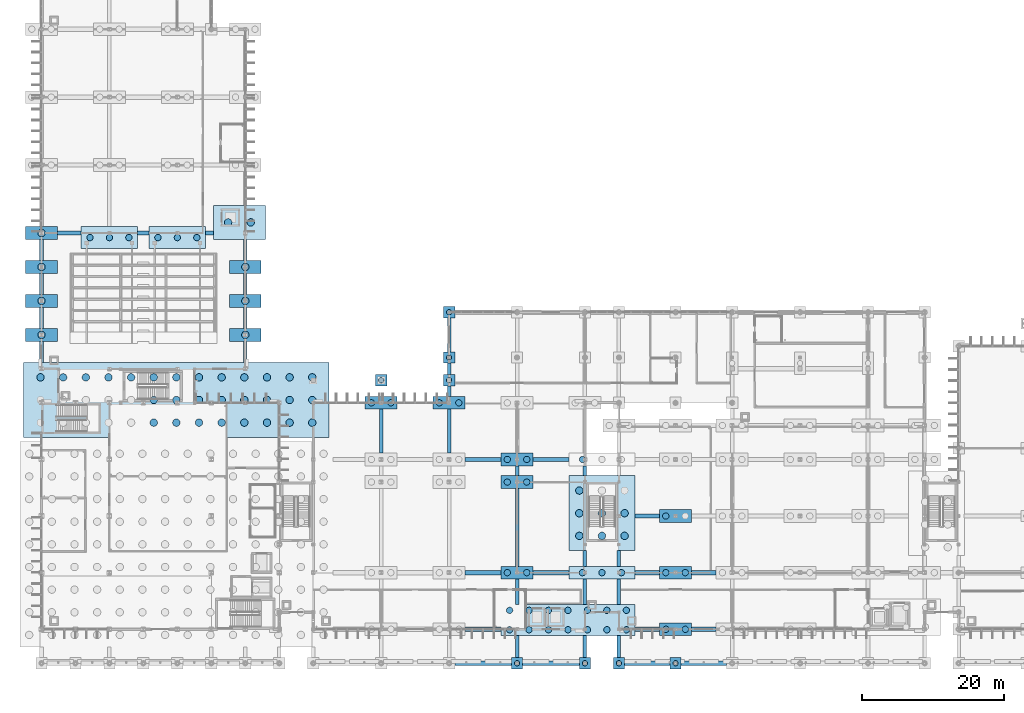
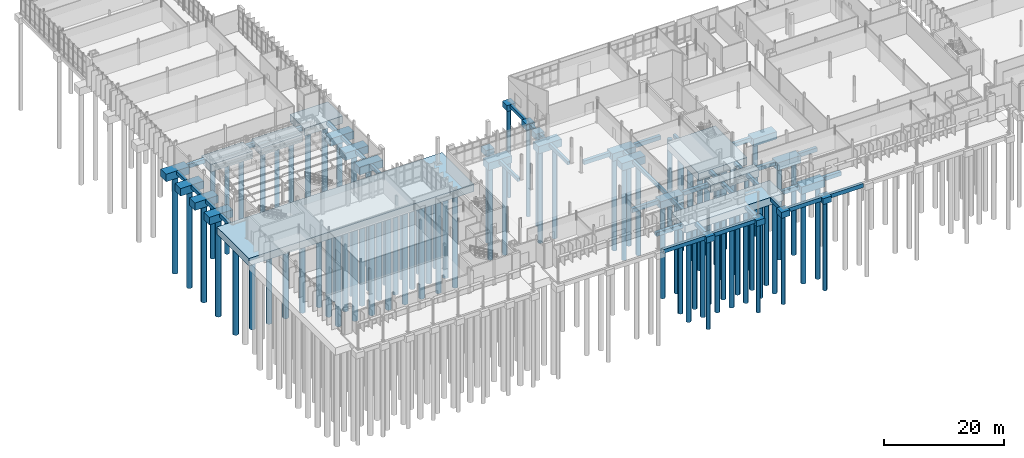
# One storey, part 2 of 111: 92 piles, 71 footings.
"""IFC4 building model written with IfcOpenShell, lengths in metres."""

import ifcopenshell
import ifcopenshell.guid

model = None  # the IFC model being written
_history = None  # IfcOwnerHistory: only IFC2X3 demands one
_inside = {}  # id of a spatial element -> (the spatial element, [elements in it])
_under = {}  # id of a project, library or spatial element -> (it, [spatial elements below it])
_declared = {}  # id of a project -> (the project, [libraries it declares])
_typed = {}  # id of a type object -> (the type object, [elements of that type])
_made_of = {}  # id of a material, layer set ... -> (it, [elements and type objects made of it])


def new_model(schema):
    """Start an empty IFC model of exactly this schema.

    Asked for "IFC4X3", IfcOpenShell would pick the latest addendum, in which some entities
    have other attributes; the version numbers below select the first issue.
    IFC2X3 requires an IfcOwnerHistory on every rooted entity: one is made here for all.
    """
    global model, _history
    if schema == "IFC4X3":
        model = ifcopenshell.file(schema_version=(4, 3, 0, 0))
    else:
        model = ifcopenshell.file(schema=schema)
    _inside.clear()
    _under.clear()
    _declared.clear()
    _typed.clear()
    _made_of.clear()
    _history = None
    if model.schema == "IFC2X3":
        org = make("IfcOrganization", Name="unknown")
        user = make(
            "IfcPersonAndOrganization",
            ThePerson=make("IfcPerson", FamilyName="unknown"),
            TheOrganization=org,
        )
        app = make(
            "IfcApplication",
            ApplicationDeveloper=org,
            Version="unknown",
            ApplicationFullName="unknown",
            ApplicationIdentifier="unknown",
        )
        _history = make(
            "IfcOwnerHistory",
            OwningUser=user,
            OwningApplication=app,
            ChangeAction="ADDED",
            CreationDate=0,
        )
    return model


def make(cls, **values):
    """One entity of the class cls with the attributes given. An attribute that is None is left unset."""
    return model.create_entity(
        cls, **{name: value for name, value in values.items() if value is not None}
    )


def rooted(cls, **values):
    """An entity with a GlobalId (a new one), such as an element, a storey or a relation."""
    return make(cls, GlobalId=ifcopenshell.guid.new(), OwnerHistory=_history, **values)


def si_unit(unit_type, name, prefix=None):
    """IfcSIUnit, for example si_unit("LENGTHUNIT", "METRE", prefix="MILLI")."""
    return make("IfcSIUnit", UnitType=unit_type, Prefix=prefix, Name=name)


def assignment(units):
    """IfcUnitAssignment: the units of a project."""
    return None if units is None else make("IfcUnitAssignment", Units=units)


def point(xyz):
    """IfcCartesianPoint."""
    return None if xyz is None else make("IfcCartesianPoint", Coordinates=xyz)


def direction(xyz):
    """IfcDirection."""
    return None if xyz is None else make("IfcDirection", DirectionRatios=xyz)


def frame(location, z_axis=None, x_axis=None):
    """IfcAxis2Placement3D, a coordinate frame: its origin and axes. An axis left out is left unset."""
    return make(
        "IfcAxis2Placement3D",
        Location=point(location),
        Axis=direction(z_axis),
        RefDirection=direction(x_axis),
    )


def frame_2d(location, x_axis=None):
    """IfcAxis2Placement2D, a coordinate frame in the plane: its origin and x axis."""
    return make(
        "IfcAxis2Placement2D", Location=point(location), RefDirection=direction(x_axis)
    )


def origin():
    """The frame at (0, 0, 0) with its axes left unset."""
    return frame((0.0, 0.0, 0.0))


def origin_2d():
    """The frame at (0, 0) in the plane with its x axis left unset."""
    return frame_2d((0.0, 0.0))


def place(relative_to, where):
    """IfcLocalPlacement: puts the frame where relative to a parent placement (None: the world)."""
    return make(
        "IfcLocalPlacement", PlacementRelTo=relative_to, RelativePlacement=where
    )


def context(
    kind, dimensions, precision=None, world=None, true_north=None, identifier=None
):
    """IfcGeometricRepresentationContext, for example the 3D "Model" context."""
    return make(
        "IfcGeometricRepresentationContext",
        ContextIdentifier=identifier,
        ContextType=kind,
        CoordinateSpaceDimension=dimensions,
        Precision=precision,
        WorldCoordinateSystem=world,
        TrueNorth=true_north,
    )


def subcontext(parent, identifier, kind, view, scale=None):
    """IfcGeometricRepresentationSubContext, for example "Body" below "Model"."""
    return make(
        "IfcGeometricRepresentationSubContext",
        ContextIdentifier=identifier,
        ContextType=kind,
        ParentContext=parent,
        TargetScale=scale,
        TargetView=view,
    )


def project(units=None, contexts=None):
    """IfcProject with its units and contexts."""
    return rooted(
        "IfcProject",
        Name="project",
        RepresentationContexts=contexts,
        UnitsInContext=assignment(units),
    )


def spatial(cls, under=None, at=None, **own):
    """A site, building, storey or space (cls), placed at a placement, below another one or the project."""
    s = rooted(cls, ObjectPlacement=at, **own)
    if under is not None:
        _under.setdefault(under.id(), (under, []))[1].append(s)
    return s


def profile(cls, at=None, kind="AREA", **sizes):
    """A parametric profile (cls). Its sizes go by their IFC names, for example OverallWidth=200.0."""
    return make(cls, ProfileType=kind, Position=at, **sizes)


def rectangle(**sizes):
    """IfcRectangleProfileDef."""
    return profile("IfcRectangleProfileDef", **sizes)


def circle(**sizes):
    """IfcCircleProfileDef."""
    return profile("IfcCircleProfileDef", **sizes)


def extrude(swept, where, along, depth):
    """IfcExtrudedAreaSolid: the profile swept, set in the frame where, extruded along a direction by depth."""
    return make(
        "IfcExtrudedAreaSolid",
        SweptArea=swept,
        Position=where,
        ExtrudedDirection=direction(along),
        Depth=depth,
    )


def shape(context_of_items, identifier, shape_type, items):
    """IfcShapeRepresentation: the items that make up one representation, for example the "Body"."""
    return make(
        "IfcShapeRepresentation",
        ContextOfItems=context_of_items,
        RepresentationIdentifier=identifier,
        RepresentationType=shape_type,
        Items=items,
    )


def material(Name=None, Category=None):
    """IfcMaterial."""
    return make("IfcMaterial", Name=Name, Category=Category)


def material_profile(
    of_material, cross_section, Name=None, Category=None, Priority=None
):
    """IfcMaterialProfile: a cross section and its material."""
    return make(
        "IfcMaterialProfile",
        Name=Name,
        Material=of_material,
        Profile=cross_section,
        Priority=Priority,
        Category=Category,
    )


def profile_set(profiles, Name=None, composite=None):
    """IfcMaterialProfileSet."""
    return make(
        "IfcMaterialProfileSet",
        Name=Name,
        MaterialProfiles=profiles,
        CompositeProfile=composite,
    )


def made_of(thing, what):
    """Note that an element or type object is made of a material, layer set ...; save() writes the relation."""
    if what is not None:
        _made_of.setdefault(what.id(), (what, []))[1].append(thing)
    return thing


def type_object(cls, material=None, **own):
    """A type object (cls), such as IfcWallType, which elements share."""
    return made_of(rooted(cls, **own), material)


def element(
    cls,
    number,
    at=None,
    inside=None,
    cuts=None,
    type_object=None,
    material=None,
    context=None,
    identifier="Body",
    shape_type=None,
    held_by="IfcProductDefinitionShape",
    body=None,
    shapes=None,
    **own,
):
    """One element of the class cls, such as IfcWall. Its Tag is "e" and its number.

    at: its placement. inside: the storey or other place that contains it. cuts: it is an
    opening in that element (IfcRelVoidsElement). A single representation is given by context,
    identifier, shape_type and body (its items); several are given by shapes. held_by: the class
    of the entity that holds the representations. save() writes the other relations.
    """
    e = rooted(cls, Tag="e%d" % number, ObjectPlacement=at, **own)
    if body is not None:
        shapes = [shape(context, identifier, shape_type, body)]
    if shapes is not None:
        e.Representation = make(held_by, Representations=shapes)
    if inside is not None:
        _inside.setdefault(inside.id(), (inside, []))[1].append(e)
    if cuts is not None:
        rooted(
            "IfcRelVoidsElement", RelatingBuildingElement=cuts, RelatedOpeningElement=e
        )
    if type_object is not None:
        _typed.setdefault(type_object.id(), (type_object, []))[1].append(e)
    return made_of(e, material)


def aggregate(whole, parts):
    """IfcRelAggregates: a whole, such as a stair, and the parts it consists of."""
    return rooted("IfcRelAggregates", RelatingObject=whole, RelatedObjects=parts)


def save(model, path):
    """Write the relations noted so far, then the file.

    IfcRelAggregates (storeys below a building ...), IfcRelContainedInSpatialStructure (elements
    in a storey), IfcRelDefinesByType, IfcRelAssociatesMaterial and IfcRelDeclares: one each for
    every whole, place, type object, material and project.
    """
    for whole, parts in _under.values():
        aggregate(whole, parts)
    for where, things in _inside.values():
        rooted(
            "IfcRelContainedInSpatialStructure",
            RelatedElements=things,
            RelatingStructure=where,
        )
    for kind, things in _typed.values():
        rooted("IfcRelDefinesByType", RelatedObjects=things, RelatingType=kind)
    for what, things in _made_of.values():
        rooted("IfcRelAssociatesMaterial", RelatedObjects=things, RelatingMaterial=what)
    for by, libraries in _declared.values():
        rooted("IfcRelDeclares", RelatingContext=by, RelatedDefinitions=libraries)
    model.write(path)


model = new_model("IFC4")

# Units and contexts
model_context = context("Model", 3, precision=1e-05, world=origin(), true_north=direction((0.0, 1.0)))
body_context = subcontext(model_context, "Body", "Model", "MODEL_VIEW")
ifc_project = project(units=[si_unit("LENGTHUNIT", "METRE"), si_unit("AREAUNIT", "SQUARE_METRE"), si_unit("VOLUMEUNIT", "CUBIC_METRE"), si_unit("PLANEANGLEUNIT", "RADIAN"), si_unit("MASSUNIT", "GRAM", prefix="KILO")], contexts=[model_context])

# Site, building, storey
site_placement = place(None, origin())
site = spatial("IfcSite", under=ifc_project, at=site_placement, CompositionType="ELEMENT")
building_placement = place(site_placement, origin())
building = spatial("IfcBuilding", under=site, at=building_placement, Name="Dunescarp Central Library", CompositionType="ELEMENT")
storey_placement = place(building_placement, origin())
storey = spatial("IfcBuildingStorey", under=building, at=storey_placement, Name="L00", CompositionType="ELEMENT", Elevation=0.0)

# Footings
ifc_material_1 = material(Name="Concrete C35/45", Category="concrete")
footing_type_1 = type_object("IfcFootingType", Name="STR-GB-EW-1120", PredefinedType="FOOTING_BEAM", material=ifc_material_1)
footing_1_placement = place(storey_placement, frame((23.761962890625, 60.800048828125, -1.10009765625), z_axis=(0.0, 0.0, 1.0), x_axis=(1.0, 0.0, 0.0)))
element("IfcFooting", 1, at=footing_1_placement, inside=storey, type_object=footing_type_1, Name="Ground tie beam GB-081", PredefinedType="FOOTING_BEAM", context=body_context, shape_type="SweptSolid", body=[
    extrude(rectangle(XDim=1.125, YDim=0.60009765625, at=origin_2d()), origin(), (0.0, 0.0, 1.0), 0.800048828125),
])
footing_type_2 = type_object("IfcFootingType", Name="STR-GB-EW-1600", PredefinedType="FOOTING_BEAM", material=ifc_material_1)
footing_2_placement = place(storey_placement, frame((14.39990234375, 60.800048828125, -1.10009765625), z_axis=(0.0, 0.0, 1.0), x_axis=(1.0, 0.0, 0.0)))
element("IfcFooting", 2, at=footing_2_placement, inside=storey, type_object=footing_type_2, Name="Ground tie beam GB-080", PredefinedType="FOOTING_BEAM", context=body_context, shape_type="SweptSolid", body=[
    extrude(rectangle(XDim=1.60009765625, YDim=0.60009765625, at=origin_2d()), origin(), (0.0, 0.0, 1.0), 0.800048828125),
])
footing_type_3 = type_object("IfcFootingType", Name="STR-GB-EW-3350", PredefinedType="FOOTING_BEAM", material=ifc_material_1)
footing_3_placement = place(storey_placement, frame((3.925048828125, 60.800048828125, -1.10009765625), z_axis=(0.0, 0.0, 1.0), x_axis=(1.0, 0.0, 0.0)))
element("IfcFooting", 3, at=footing_3_placement, inside=storey, type_object=footing_type_3, Name="Ground tie beam GB-079", PredefinedType="FOOTING_BEAM", context=body_context, shape_type="SweptSolid", body=[
    extrude(rectangle(XDim=3.35009765625, YDim=0.60009765625, at=origin_2d()), origin(), (0.0, 0.0, 1.0), 0.800048828125),
])
footing_type_4 = type_object("IfcFootingType", Name="STR-GB-EW-3500", PredefinedType="FOOTING_BEAM", material=ifc_material_1)
for number, where, z_axis, x_axis, name in (
    (4, (85.60009765625, 4.800048828125, -1.10009765625), (0.0, 0.0, 1.0), (1.0, 0.0, 0.0), "Ground tie beam GB-024"),
    (5, (93.60009765625, 4.800048828125, -1.10009765625), (0.0, 0.0, 1.0), (1.0, 0.0, 0.0), "Ground tie beam GB-025"),
    (6, (85.60009765625, 12.800048828125, -1.10009765625), (0.0, 0.0, 1.0), (1.0, 0.0, 0.0), "Ground tie beam GB-036"),
    (7, (93.60009765625, 12.800048828125, -1.10009765625), (0.0, 0.0, 1.0), (1.0, 0.0, 0.0), "Ground tie beam GB-037"),
    (8, (85.60009765625, 20.800048828125, -1.10009765625), (0.0, 0.0, 1.0), (1.0, 0.0, 0.0), "Ground tie beam GB-046"),
):
    element("IfcFooting", number, at=place(storey_placement, frame(where, z_axis=z_axis, x_axis=x_axis)), inside=storey, type_object=footing_type_4, Name=name, PredefinedType="FOOTING_BEAM", context=body_context, shape_type="SweptSolid", body=[
        extrude(rectangle(XDim=3.5, YDim=0.60009765625, at=origin_2d()), origin(), (0.0, 0.0, 1.0), 0.800048828125),
    ])
footing_type_5 = type_object("IfcFootingType", Name="STR-GB-EW-5100", PredefinedType="FOOTING_BEAM", material=ifc_material_1)
for number, where, z_axis, x_axis, name in (
    (9, (62.39990234375, 4.800048828125, -1.10009765625), (0.0, 0.0, 1.0), (1.0, 0.0, 0.0), "Ground tie beam GB-023"),
    (10, (62.39990234375, 12.800048828125, -1.10009765625), (0.0, 0.0, 1.0), (1.0, 0.0, 0.0), "Ground tie beam GB-034"),
    (11, (72.0, 12.800048828125, -1.10009765625), (0.0, 0.0, 1.0), (1.0, 0.0, 0.0), "Ground tie beam GB-035"),
    (12, (62.39990234375, 28.800048828125, -1.10009765625), (0.0, 0.0, 1.0), (1.0, 0.0, 0.0), "Ground tie beam GB-057"),
    (13, (72.0, 28.800048828125, -1.10009765625), (0.0, 0.0, 1.0), (1.0, 0.0, 0.0), "Ground tie beam GB-058"),
):
    element("IfcFooting", number, at=place(storey_placement, frame(where, z_axis=z_axis, x_axis=x_axis)), inside=storey, type_object=footing_type_5, Name=name, PredefinedType="FOOTING_BEAM", context=body_context, shape_type="SweptSolid", body=[
        extrude(rectangle(XDim=5.10009765625, YDim=0.60009765625, at=origin_2d()), origin(), (0.0, 0.0, 1.0), 0.800048828125),
    ])
footing_type_6 = type_object("IfcFootingType", Name="STR-GB-EW-6400", PredefinedType="FOOTING_BEAM", material=ifc_material_1)
for number, where, z_axis, x_axis, name in (
    (14, (85.60009765625, 0.0, -1.10009765625), (0.0, 0.0, 1.0), (1.0, 0.0, 0.0), "Ground tie beam GB-012"),
    (15, (93.60009765625, 0.0, -1.10009765625), (0.0, 0.0, 1.0), (1.0, 0.0, 0.0), "Ground tie beam GB-013"),
):
    element("IfcFooting", number, at=place(storey_placement, frame(where, z_axis=z_axis, x_axis=x_axis)), inside=storey, type_object=footing_type_6, Name=name, PredefinedType="FOOTING_BEAM", context=body_context, shape_type="SweptSolid", body=[
        extrude(rectangle(XDim=6.39990234375, YDim=0.60009765625, at=origin_2d()), origin(), (0.0, 0.0, 1.0), 0.800048828125),
    ])
footing_type_7 = type_object("IfcFootingType", Name="STR-GB-EW-8000", PredefinedType="FOOTING_BEAM", material=ifc_material_1)
for number, where, z_axis, x_axis, name in (
    (16, (62.39990234375, 0.0, -1.10009765625), (0.0, 0.0, 1.0), (1.0, 0.0, 0.0), "Ground tie beam GB-010"),
    (17, (72.0, 0.0, -1.10009765625), (0.0, 0.0, 1.0), (1.0, 0.0, 0.0), "Ground tie beam GB-011"),
):
    element("IfcFooting", number, at=place(storey_placement, frame(where, z_axis=z_axis, x_axis=x_axis)), inside=storey, type_object=footing_type_7, Name=name, PredefinedType="FOOTING_BEAM", context=body_context, shape_type="SweptSolid", body=[
        extrude(rectangle(XDim=8.0, YDim=0.60009765625, at=origin_2d()), origin(), (0.0, 0.0, 1.0), 0.800048828125),
    ])
footing_type_8 = type_object("IfcFootingType", Name="STR-GB-NS-11000", PredefinedType="FOOTING_BEAM", material=ifc_material_1)
footing_4_placement = place(storey_placement, frame((67.199951171875, 19.199951171875, -1.0), z_axis=(0.0, 0.0, 1.0), x_axis=(0.0, 1.0, 0.0)))
element("IfcFooting", 18, at=footing_4_placement, inside=storey, type_object=footing_type_8, Name="Ground tie beam GB-142", PredefinedType="FOOTING_BEAM", context=body_context, shape_type="SweptSolid", body=[
    extrude(rectangle(XDim=11.0, YDim=0.5, at=origin_2d()), origin(), (0.0, 0.0, 1.0), 0.699951171875),
])
footing_type_9 = type_object("IfcFootingType", Name="STR-GB-NS-1400", PredefinedType="FOOTING_BEAM", material=ifc_material_1)
for number, where, z_axis, x_axis, name in (
    (19, (67.199951171875, 27.199951171875, -1.0), (0.0, 0.0, 1.0), (0.0, 1.0, 0.0), "Ground tie beam GB-143"),
    (20, (76.800048828125, 27.199951171875, -1.0), (0.0, 0.0, 1.0), (0.0, 1.0, 0.0), "Ground tie beam GB-150"),
):
    element("IfcFooting", number, at=place(storey_placement, frame(where, z_axis=z_axis, x_axis=x_axis)), inside=storey, type_object=footing_type_9, Name=name, PredefinedType="FOOTING_BEAM", context=body_context, shape_type="SweptSolid", body=[
        extrude(rectangle(XDim=1.39990234375, YDim=0.5, at=origin_2d()), origin(), (0.0, 0.0, 1.0), 0.699951171875),
    ])
footing_type_10 = type_object("IfcFootingType", Name="STR-GB-NS-1500", PredefinedType="FOOTING_BEAM", material=ifc_material_1)
footing_5_placement = place(storey_placement, frame((57.60009765625, 38.449951171875, -1.0), z_axis=(0.0, 0.0, 1.0), x_axis=(0.0, 1.0, 0.0)))
element("IfcFooting", 21, at=footing_5_placement, inside=storey, type_object=footing_type_10, Name="Ground tie beam GB-137", PredefinedType="FOOTING_BEAM", context=body_context, shape_type="SweptSolid", body=[
    extrude(rectangle(XDim=1.5, YDim=0.5, at=origin_2d()), origin(), (0.0, 0.0, 1.0), 0.699951171875),
])
footing_type_11 = type_object("IfcFootingType", Name="STR-GB-NS-1600", PredefinedType="FOOTING_BEAM", material=ifc_material_1)
footing_6_placement = place(storey_placement, frame((57.60009765625, 41.60009765625, -1.0), z_axis=(0.0, 0.0, 1.0), x_axis=(0.0, 1.0, 0.0)))
element("IfcFooting", 22, at=footing_6_placement, inside=storey, type_object=footing_type_11, Name="Ground tie beam GB-138", PredefinedType="FOOTING_BEAM", context=body_context, shape_type="SweptSolid", body=[
    extrude(rectangle(XDim=1.60009765625, YDim=0.5, at=origin_2d()), origin(), (0.0, 0.0, 1.0), 0.699951171875),
])
footing_type_12 = type_object("IfcFootingType", Name="STR-GB-NS-2200", PredefinedType="FOOTING_BEAM", material=ifc_material_1)
for number, where, z_axis, x_axis, name in (
    (23, (76.800048828125, 14.800048828125, -1.0), (0.0, 0.0, 1.0), (0.0, 1.0, 0.0), "Ground tie beam GB-149"),
    (24, (81.60009765625, 14.800048828125, -1.0), (0.0, 0.0, 1.0), (0.0, 1.0, 0.0), "Ground tie beam GB-156"),
):
    element("IfcFooting", number, at=place(storey_placement, frame(where, z_axis=z_axis, x_axis=x_axis)), inside=storey, type_object=footing_type_12, Name=name, PredefinedType="FOOTING_BEAM", context=body_context, shape_type="SweptSolid", body=[
        extrude(rectangle(XDim=2.199951171875, YDim=0.5, at=origin_2d()), origin(), (0.0, 0.0, 1.0), 0.699951171875),
    ])
footing_type_13 = type_object("IfcFootingType", Name="STR-GB-NS-3000", PredefinedType="FOOTING_BEAM", material=ifc_material_1)
for number, where, z_axis, x_axis, name in (
    (25, (0.0, 44.0, -1.0), (0.0, 0.0, 1.0), (0.0, 1.0, 0.0), "Ground tie beam GB-099"),
    (26, (0.0, 48.800048828125, -1.0), (0.0, 0.0, 1.0), (0.0, 1.0, 0.0), "Ground tie beam GB-100"),
    (27, (0.0, 53.60009765625, -1.0), (0.0, 0.0, 1.0), (0.0, 1.0, 0.0), "Ground tie beam GB-101"),
    (28, (0.0, 58.39990234375, -1.0), (0.0, 0.0, 1.0), (0.0, 1.0, 0.0), "Ground tie beam GB-102"),
    (29, (28.800048828125, 44.0, -1.0), (0.0, 0.0, 1.0), (0.0, 1.0, 0.0), "Ground tie beam GB-118"),
    (30, (28.800048828125, 48.800048828125, -1.0), (0.0, 0.0, 1.0), (0.0, 1.0, 0.0), "Ground tie beam GB-119"),
    (31, (28.800048828125, 53.60009765625, -1.0), (0.0, 0.0, 1.0), (0.0, 1.0, 0.0), "Ground tie beam GB-120"),
    (32, (28.800048828125, 58.39990234375, -1.0), (0.0, 0.0, 1.0), (0.0, 1.0, 0.0), "Ground tie beam GB-121"),
):
    element("IfcFooting", number, at=place(storey_placement, frame(where, z_axis=z_axis, x_axis=x_axis)), inside=storey, type_object=footing_type_13, Name=name, PredefinedType="FOOTING_BEAM", context=body_context, shape_type="SweptSolid", body=[
        extrude(rectangle(XDim=3.0, YDim=0.5, at=origin_2d()), origin(), (0.0, 0.0, 1.0), 0.699951171875),
    ])
footing_type_14 = type_object("IfcFootingType", Name="STR-GB-NS-3100", PredefinedType="FOOTING_BEAM", material=ifc_material_1)
for number, where, z_axis, x_axis, name in (
    (33, (67.199951171875, 2.35009765625, -1.0), (0.0, 0.0, 1.0), (0.0, 1.0, 0.0), "Ground tie beam GB-140"),
    (34, (76.800048828125, 2.35009765625, -1.0), (0.0, 0.0, 1.0), (0.0, 1.0, 0.0), "Ground tie beam GB-147"),
    (35, (81.60009765625, 2.35009765625, -1.0), (0.0, 0.0, 1.0), (0.0, 1.0, 0.0), "Ground tie beam GB-154"),
):
    element("IfcFooting", number, at=place(storey_placement, frame(where, z_axis=z_axis, x_axis=x_axis)), inside=storey, type_object=footing_type_14, Name=name, PredefinedType="FOOTING_BEAM", context=body_context, shape_type="SweptSolid", body=[
        extrude(rectangle(XDim=3.10009765625, YDim=0.5, at=origin_2d()), origin(), (0.0, 0.0, 1.0), 0.699951171875),
    ])
footing_type_15 = type_object("IfcFootingType", Name="STR-GB-NS-3600", PredefinedType="FOOTING_BEAM", material=ifc_material_1)
for number, where, z_axis, x_axis, name in (
    (36, (67.199951171875, 10.10009765625, -1.0), (0.0, 0.0, 1.0), (0.0, 1.0, 0.0), "Ground tie beam GB-141"),
    (37, (76.800048828125, 10.10009765625, -1.0), (0.0, 0.0, 1.0), (0.0, 1.0, 0.0), "Ground tie beam GB-148"),
    (38, (81.60009765625, 10.10009765625, -1.0), (0.0, 0.0, 1.0), (0.0, 1.0, 0.0), "Ground tie beam GB-155"),
):
    element("IfcFooting", number, at=place(storey_placement, frame(where, z_axis=z_axis, x_axis=x_axis)), inside=storey, type_object=footing_type_15, Name=name, PredefinedType="FOOTING_BEAM", context=body_context, shape_type="SweptSolid", body=[
        extrude(rectangle(XDim=3.60009765625, YDim=0.5, at=origin_2d()), origin(), (0.0, 0.0, 1.0), 0.699951171875),
    ])
footing_type_16 = type_object("IfcFootingType", Name="STR-GB-NS-4800", PredefinedType="FOOTING_BEAM", material=ifc_material_1)
footing_7_placement = place(storey_placement, frame((57.60009765625, 46.39990234375, -1.0), z_axis=(0.0, 0.0, 1.0), x_axis=(0.0, 1.0, 0.0)))
element("IfcFooting", 39, at=footing_7_placement, inside=storey, type_object=footing_type_16, Name="Ground tie beam GB-139", PredefinedType="FOOTING_BEAM", context=body_context, shape_type="SweptSolid", body=[
    extrude(rectangle(XDim=4.800048828125, YDim=0.5, at=origin_2d()), origin(), (0.0, 0.0, 1.0), 0.699951171875),
])
footing_type_17 = type_object("IfcFootingType", Name="STR-GB-NS-6200", PredefinedType="FOOTING_BEAM", material=ifc_material_1)
for number, where, z_axis, x_axis, name in (
    (40, (48.0, 32.800048828125, -1.0), (0.0, 0.0, 1.0), (0.0, 1.0, 0.0), "Ground tie beam GB-131"),
    (41, (57.60009765625, 32.800048828125, -1.0), (0.0, 0.0, 1.0), (0.0, 1.0, 0.0), "Ground tie beam GB-136"),
):
    element("IfcFooting", number, at=place(storey_placement, frame(where, z_axis=z_axis, x_axis=x_axis)), inside=storey, type_object=footing_type_17, Name=name, PredefinedType="FOOTING_BEAM", context=body_context, shape_type="SweptSolid", body=[
        extrude(rectangle(XDim=6.199951171875, YDim=0.5, at=origin_2d()), origin(), (0.0, 0.0, 1.0), 0.699951171875),
    ])
ifc_material_2 = material(Name="Concrete C40/50", Category="concrete")
footing_type_18 = type_object("IfcFootingType", Name="STR-PC-1600X1600X1200", PredefinedType="PILE_CAP", material=ifc_material_2)
for number, where, z_axis, x_axis, name in (
    (42, (67.199951171875, 0.0, -1.5), (0.0, 0.0, 1.0), (1.0, 0.0, 0.0), "Pile cap PC-012"),
    (43, (76.800048828125, 0.0, -1.5), (0.0, 0.0, 1.0), (1.0, 0.0, 0.0), "Pile cap PC-013"),
    (44, (81.60009765625, 0.0, -1.5), (0.0, 0.0, 1.0), (1.0, 0.0, 0.0), "Pile cap PC-014"),
    (45, (89.60009765625, 0.0, -1.5), (0.0, 0.0, 1.0), (1.0, 0.0, 0.0), "Pile cap PC-015"),
    (46, (48.0, 40.0, -1.5), (0.0, 0.0, 1.0), (1.0, 0.0, 0.0), "Pile cap PC-094"),
    (47, (57.60009765625, 40.0, -1.5), (0.0, 0.0, 1.0), (1.0, 0.0, 0.0), "Pile cap PC-095"),
    (48, (57.60009765625, 43.199951171875, -1.5), (0.0, 0.0, 1.0), (1.0, 0.0, 0.0), "Pile cap PC-099"),
    (49, (57.60009765625, 49.60009765625, -1.5), (0.0, 0.0, 1.0), (1.0, 0.0, 0.0), "Pile cap PC-114"),
):
    element("IfcFooting", number, at=place(storey_placement, frame(where, z_axis=z_axis, x_axis=x_axis)), inside=storey, type_object=footing_type_18, Name=name, PredefinedType="PILE_CAP", context=body_context, shape_type="SweptSolid", body=[
        extrude(rectangle(XDim=1.60009765625, YDim=1.60009765625, at=origin_2d()), origin(), (0.0, 0.0, 1.0), 1.199951171875),
    ])
footing_type_19 = type_object("IfcFootingType", Name="STR-PC-18900X4400X1500", PredefinedType="PILE_CAP", material=ifc_material_2)
footing_8_placement = place(storey_placement, frame((74.39990234375, 6.10009765625, -1.800048828125), z_axis=(0.0, 0.0, 1.0), x_axis=(1.0, 0.0, 0.0)))
element("IfcFooting", 50, at=footing_8_placement, inside=storey, type_object=footing_type_19, Name="Pile cap PC-028", PredefinedType="PILE_CAP", context=body_context, shape_type="SweptSolid", body=[
    extrude(rectangle(XDim=18.89990234375, YDim=4.39990234375, at=origin_2d()), origin(), (0.0, 0.0, 1.0), 1.5),
])
footing_type_20 = type_object("IfcFootingType", Name="STR-PC-43175X10600X1500", PredefinedType="PILE_CAP", material=ifc_material_2)
footing_9_placement = place(storey_placement, frame((19.06201171875, 37.199951171875, -1.800048828125), z_axis=(0.0, 0.0, 1.0), x_axis=(1.0, 0.0, 0.0)))
element("IfcFooting", 51, at=footing_9_placement, inside=storey, type_object=footing_type_20, Name="Pile cap PC-080", PredefinedType="PILE_CAP", context=body_context, shape_type="SweptSolid", body=[
    extrude(rectangle(XDim=43.175048828125, YDim=10.60009765625, at=origin_2d()), origin(), (0.0, 0.0, 1.0), 1.5),
])
footing_type_21 = type_object("IfcFootingType", Name="STR-PC-4500X1800X1500", PredefinedType="PILE_CAP", material=ifc_material_2)
for number, where, z_axis, x_axis, name in (
    (52, (89.60009765625, 4.800048828125, -1.800048828125), (0.0, 0.0, 1.0), (1.0, 0.0, 0.0), "Pile cap PC-029"),
    (53, (67.199951171875, 12.800048828125, -1.800048828125), (0.0, 0.0, 1.0), (1.0, 0.0, 0.0), "Pile cap PC-041"),
    (54, (89.60009765625, 12.800048828125, -1.800048828125), (0.0, 0.0, 1.0), (1.0, 0.0, 0.0), "Pile cap PC-043"),
    (55, (89.60009765625, 20.800048828125, -1.800048828125), (0.0, 0.0, 1.0), (1.0, 0.0, 0.0), "Pile cap PC-055"),
    (56, (67.199951171875, 25.60009765625, -1.800048828125), (0.0, 0.0, 1.0), (1.0, 0.0, 0.0), "Pile cap PC-065"),
    (57, (67.199951171875, 28.800048828125, -1.800048828125), (0.0, 0.0, 1.0), (1.0, 0.0, 0.0), "Pile cap PC-068"),
    (58, (48.0, 36.800048828125, -1.800048828125), (0.0, 0.0, 1.0), (1.0, 0.0, 0.0), "Pile cap PC-087"),
    (59, (57.60009765625, 36.800048828125, -1.800048828125), (0.0, 0.0, 1.0), (1.0, 0.0, 0.0), "Pile cap PC-088"),
    (60, (0.0, 46.39990234375, -1.800048828125), (0.0, 0.0, 1.0), (1.0, 0.0, 0.0), "Pile cap PC-110"),
    (61, (28.800048828125, 46.39990234375, -1.800048828125), (0.0, 0.0, 1.0), (1.0, 0.0, 0.0), "Pile cap PC-111"),
    (62, (0.0, 51.199951171875, -1.800048828125), (0.0, 0.0, 1.0), (1.0, 0.0, 0.0), "Pile cap PC-123"),
    (63, (28.800048828125, 51.199951171875, -1.800048828125), (0.0, 0.0, 1.0), (1.0, 0.0, 0.0), "Pile cap PC-124"),
    (64, (0.0, 56.0, -1.800048828125), (0.0, 0.0, 1.0), (1.0, 0.0, 0.0), "Pile cap PC-125"),
    (65, (28.800048828125, 56.0, -1.800048828125), (0.0, 0.0, 1.0), (1.0, 0.0, 0.0), "Pile cap PC-126"),
    (66, (0.0, 60.800048828125, -1.800048828125), (0.0, 0.0, 1.0), (1.0, 0.0, 0.0), "Pile cap PC-129"),
):
    element("IfcFooting", number, at=place(storey_placement, frame(where, z_axis=z_axis, x_axis=x_axis)), inside=storey, type_object=footing_type_21, Name=name, PredefinedType="PILE_CAP", context=body_context, shape_type="SweptSolid", body=[
        extrude(rectangle(XDim=4.5, YDim=1.800048828125, at=origin_2d()), origin(), (0.0, 0.0, 1.0), 1.5),
    ])
footing_type_22 = type_object("IfcFootingType", Name="STR-PC-7300X4800X1500", PredefinedType="PILE_CAP", material=ifc_material_2)
footing_10_placement = place(storey_placement, frame((27.97509765625, 62.300048828125, -1.800048828125), z_axis=(0.0, 0.0, 1.0), x_axis=(1.0, 0.0, 0.0)))
element("IfcFooting", 67, at=footing_10_placement, inside=storey, type_object=footing_type_22, Name="Pile cap PC-130", PredefinedType="PILE_CAP", context=body_context, shape_type="SweptSolid", body=[
    extrude(rectangle(XDim=7.300048828125, YDim=4.800048828125, at=origin_2d()), origin(), (0.0, 0.0, 1.0), 1.5),
])
footing_type_23 = type_object("IfcFootingType", Name="STR-PC-8000X3100X1500", PredefinedType="PILE_CAP", material=ifc_material_2)
for number, where, z_axis, x_axis, name in (
    (68, (9.60009765625, 60.14990234375, -1.800048828125), (0.0, 0.0, 1.0), (1.0, 0.0, 0.0), "Pile cap PC-127"),
    (69, (19.199951171875, 60.14990234375, -1.800048828125), (0.0, 0.0, 1.0), (1.0, 0.0, 0.0), "Pile cap PC-128"),
):
    element("IfcFooting", number, at=place(storey_placement, frame(where, z_axis=z_axis, x_axis=x_axis)), inside=storey, type_object=footing_type_23, Name=name, PredefinedType="PILE_CAP", context=body_context, shape_type="SweptSolid", body=[
        extrude(rectangle(XDim=8.0, YDim=3.10009765625, at=origin_2d()), origin(), (0.0, 0.0, 1.0), 1.5),
    ])
footing_type_24 = type_object("IfcFootingType", Name="STR-PC-9300X10600X1500", PredefinedType="PILE_CAP", material=ifc_material_2)
footing_11_placement = place(storey_placement, frame((79.199951171875, 21.199951171875, -1.800048828125), z_axis=(0.0, 0.0, 1.0), x_axis=(1.0, 0.0, 0.0)))
element("IfcFooting", 70, at=footing_11_placement, inside=storey, type_object=footing_type_24, Name="Pile cap PC-053", PredefinedType="PILE_CAP", context=body_context, shape_type="SweptSolid", body=[
    extrude(rectangle(XDim=9.300048828125, YDim=10.60009765625, at=origin_2d()), origin(), (0.0, 0.0, 1.0), 1.5),
])
footing_type_25 = type_object("IfcFootingType", Name="STR-PC-9300X1800X1500", PredefinedType="PILE_CAP", material=ifc_material_2)
footing_12_placement = place(storey_placement, frame((79.199951171875, 12.800048828125, -1.800048828125), z_axis=(0.0, 0.0, 1.0), x_axis=(1.0, 0.0, 0.0)))
element("IfcFooting", 71, at=footing_12_placement, inside=storey, type_object=footing_type_25, Name="Pile cap PC-042", PredefinedType="PILE_CAP", context=body_context, shape_type="SweptSolid", body=[
    extrude(rectangle(XDim=9.300048828125, YDim=1.800048828125, at=origin_2d()), origin(), (0.0, 0.0, 1.0), 1.5),
])

# Piles
ifc_material_profile_1 = material_profile(ifc_material_2, circle(Radius=0.52490234375, at=origin_2d()), Name="PILE D1050")
ifc_profile_set_1 = profile_set([ifc_material_profile_1], Name="Concrete C40/50")
pile_type_1 = type_object("IfcPileType", Name="STR-PILE-D1050", PredefinedType="BORED", material=ifc_profile_set_1)
for number, where, z_axis, x_axis, name in (
    (72, (76.0, 18.0, -1.699951171875), (0.0, 0.0, -1.0), (1.0, 0.0, 0.0), "Bored pile BP-053-01"),
    (73, (76.0, 21.199951171875, -1.699951171875), (0.0, 0.0, -1.0), (1.0, 0.0, 0.0), "Bored pile BP-053-02"),
    (74, (76.0, 24.39990234375, -1.699951171875), (0.0, 0.0, -1.0), (1.0, 0.0, 0.0), "Bored pile BP-053-03"),
    (75, (79.199951171875, 18.0, -1.699951171875), (0.0, 0.0, -1.0), (1.0, 0.0, 0.0), "Bored pile BP-053-04"),
    (76, (79.199951171875, 21.199951171875, -1.699951171875), (0.0, 0.0, -1.0), (1.0, 0.0, 0.0), "Bored pile BP-053-05"),
    (77, (82.39990234375, 18.0, -1.699951171875), (0.0, 0.0, -1.0), (1.0, 0.0, 0.0), "Bored pile BP-053-07"),
    (78, (82.39990234375, 21.199951171875, -1.699951171875), (0.0, 0.0, -1.0), (1.0, 0.0, 0.0), "Bored pile BP-053-08"),
    (79, (-0.137939453125, 40.39990234375, -1.699951171875), (0.0, 0.0, -1.0), (1.0, 0.0, 0.0), "Bored pile BP-080-03"),
    (80, (3.06201171875, 40.39990234375, -1.699951171875), (0.0, 0.0, -1.0), (1.0, 0.0, 0.0), "Bored pile BP-080-06"),
    (81, (6.261962890625, 40.39990234375, -1.699951171875), (0.0, 0.0, -1.0), (1.0, 0.0, 0.0), "Bored pile BP-080-09"),
    (82, (9.4619140625, 40.39990234375, -1.699951171875), (0.0, 0.0, -1.0), (1.0, 0.0, 0.0), "Bored pile BP-080-12"),
    (83, (12.662109375, 40.39990234375, -1.699951171875), (0.0, 0.0, -1.0), (1.0, 0.0, 0.0), "Bored pile BP-080-15"),
    (84, (15.862060546875, 34.0, -1.699951171875), (0.0, 0.0, -1.0), (1.0, 0.0, 0.0), "Bored pile BP-080-16"),
    (85, (15.862060546875, 37.199951171875, -1.699951171875), (0.0, 0.0, -1.0), (1.0, 0.0, 0.0), "Bored pile BP-080-17"),
    (86, (15.862060546875, 40.39990234375, -1.699951171875), (0.0, 0.0, -1.0), (1.0, 0.0, 0.0), "Bored pile BP-080-18"),
    (87, (19.06201171875, 34.0, -1.699951171875), (0.0, 0.0, -1.0), (1.0, 0.0, 0.0), "Bored pile BP-080-19"),
    (88, (19.06201171875, 37.199951171875, -1.699951171875), (0.0, 0.0, -1.0), (1.0, 0.0, 0.0), "Bored pile BP-080-20"),
    (89, (19.06201171875, 40.39990234375, -1.699951171875), (0.0, 0.0, -1.0), (1.0, 0.0, 0.0), "Bored pile BP-080-21"),
    (90, (22.261962890625, 34.0, -1.699951171875), (0.0, 0.0, -1.0), (1.0, 0.0, 0.0), "Bored pile BP-080-22"),
    (91, (22.261962890625, 37.199951171875, -1.699951171875), (0.0, 0.0, -1.0), (1.0, 0.0, 0.0), "Bored pile BP-080-23"),
    (92, (22.261962890625, 40.39990234375, -1.699951171875), (0.0, 0.0, -1.0), (1.0, 0.0, 0.0), "Bored pile BP-080-24"),
    (93, (25.4619140625, 34.0, -1.699951171875), (0.0, 0.0, -1.0), (1.0, 0.0, 0.0), "Bored pile BP-080-25"),
    (94, (25.4619140625, 37.199951171875, -1.699951171875), (0.0, 0.0, -1.0), (1.0, 0.0, 0.0), "Bored pile BP-080-26"),
    (95, (25.4619140625, 40.39990234375, -1.699951171875), (0.0, 0.0, -1.0), (1.0, 0.0, 0.0), "Bored pile BP-080-27"),
    (96, (28.662109375, 34.0, -1.699951171875), (0.0, 0.0, -1.0), (1.0, 0.0, 0.0), "Bored pile BP-080-28"),
    (97, (28.662109375, 37.199951171875, -1.699951171875), (0.0, 0.0, -1.0), (1.0, 0.0, 0.0), "Bored pile BP-080-29"),
    (98, (28.662109375, 40.39990234375, -1.699951171875), (0.0, 0.0, -1.0), (1.0, 0.0, 0.0), "Bored pile BP-080-30"),
    (99, (31.862060546875, 34.0, -1.699951171875), (0.0, 0.0, -1.0), (1.0, 0.0, 0.0), "Bored pile BP-080-31"),
    (100, (31.862060546875, 37.199951171875, -1.699951171875), (0.0, 0.0, -1.0), (1.0, 0.0, 0.0), "Bored pile BP-080-32"),
    (101, (31.862060546875, 40.39990234375, -1.699951171875), (0.0, 0.0, -1.0), (1.0, 0.0, 0.0), "Bored pile BP-080-33"),
    (102, (35.06201171875, 34.0, -1.699951171875), (0.0, 0.0, -1.0), (1.0, 0.0, 0.0), "Bored pile BP-080-34"),
    (103, (35.06201171875, 37.199951171875, -1.699951171875), (0.0, 0.0, -1.0), (1.0, 0.0, 0.0), "Bored pile BP-080-35"),
    (104, (35.06201171875, 40.39990234375, -1.699951171875), (0.0, 0.0, -1.0), (1.0, 0.0, 0.0), "Bored pile BP-080-36"),
    (105, (38.261962890625, 34.0, -1.699951171875), (0.0, 0.0, -1.0), (1.0, 0.0, 0.0), "Bored pile BP-080-37"),
    (106, (38.261962890625, 37.199951171875, -1.699951171875), (0.0, 0.0, -1.0), (1.0, 0.0, 0.0), "Bored pile BP-080-38"),
    (107, (38.261962890625, 40.39990234375, -1.699951171875), (0.0, 0.0, -1.0), (1.0, 0.0, 0.0), "Bored pile BP-080-39"),
    (108, (0.0, 46.39990234375, -1.699951171875), (0.0, 0.0, -1.0), (1.0, 0.0, 0.0), "Bored pile BP-110-01"),
    (109, (28.800048828125, 46.39990234375, -1.699951171875), (0.0, 0.0, -1.0), (1.0, 0.0, 0.0), "Bored pile BP-111-01"),
    (110, (0.0, 51.199951171875, -1.699951171875), (0.0, 0.0, -1.0), (1.0, 0.0, 0.0), "Bored pile BP-123-01"),
    (111, (28.800048828125, 51.199951171875, -1.699951171875), (0.0, 0.0, -1.0), (1.0, 0.0, 0.0), "Bored pile BP-124-01"),
    (112, (0.0, 56.0, -1.699951171875), (0.0, 0.0, -1.0), (1.0, 0.0, 0.0), "Bored pile BP-125-01"),
    (113, (28.800048828125, 56.0, -1.699951171875), (0.0, 0.0, -1.0), (1.0, 0.0, 0.0), "Bored pile BP-126-01"),
    (114, (0.0, 60.800048828125, -1.699951171875), (0.0, 0.0, -1.0), (1.0, 0.0, 0.0), "Bored pile BP-129-01"),
    (115, (26.375, 62.300048828125, -1.699951171875), (0.0, 0.0, -1.0), (1.0, 0.0, 0.0), "Bored pile BP-130-01"),
    (116, (29.574951171875, 62.300048828125, -1.699951171875), (0.0, 0.0, -1.0), (1.0, 0.0, 0.0), "Bored pile BP-130-02"),
):
    element("IfcPile", number, at=place(storey_placement, frame(where, z_axis=z_axis, x_axis=x_axis)), inside=storey, type_object=pile_type_1, Name=name, PredefinedType="BORED", context=body_context, shape_type="SweptSolid", body=[
        extrude(circle(Radius=0.52490234375, at=origin_2d()), origin(), (0.0, 0.0, 1.0), 19.800048828125),
    ])
ifc_material_profile_2 = material_profile(ifc_material_2, circle(Radius=0.375, at=origin_2d()), Name="PILE D750")
ifc_profile_set_2 = profile_set([ifc_material_profile_2], Name="Concrete C40/50")
pile_type_2 = type_object("IfcPileType", Name="STR-PILE-D750", PredefinedType="BORED", material=ifc_profile_set_2)
for number, where, z_axis, x_axis, name in (
    (117, (67.199951171875, 0.0, -1.39990234375), (0.0, 0.0, -1.0), (1.0, 0.0, 0.0), "Bored pile BP-012-01"),
    (118, (76.800048828125, 0.0, -1.39990234375), (0.0, 0.0, -1.0), (1.0, 0.0, 0.0), "Bored pile BP-013-01"),
    (119, (81.60009765625, 0.0, -1.39990234375), (0.0, 0.0, -1.0), (1.0, 0.0, 0.0), "Bored pile BP-014-01"),
    (120, (89.60009765625, 0.0, -1.39990234375), (0.0, 0.0, -1.0), (1.0, 0.0, 0.0), "Bored pile BP-015-01"),
    (121, (48.0, 40.0, -1.39990234375), (0.0, 0.0, -1.0), (1.0, 0.0, 0.0), "Bored pile BP-094-01"),
    (122, (57.60009765625, 40.0, -1.39990234375), (0.0, 0.0, -1.0), (1.0, 0.0, 0.0), "Bored pile BP-095-01"),
    (123, (57.60009765625, 43.199951171875, -1.39990234375), (0.0, 0.0, -1.0), (1.0, 0.0, 0.0), "Bored pile BP-099-01"),
    (124, (57.60009765625, 49.60009765625, -1.39990234375), (0.0, 0.0, -1.0), (1.0, 0.0, 0.0), "Bored pile BP-114-01"),
):
    element("IfcPile", number, at=place(storey_placement, frame(where, z_axis=z_axis, x_axis=x_axis)), inside=storey, type_object=pile_type_2, Name=name, PredefinedType="BORED", context=body_context, shape_type="SweptSolid", body=[
        extrude(circle(Radius=0.375, at=origin_2d()), origin(), (0.0, 0.0, 1.0), 18.10009765625),
    ])
ifc_material_profile_3 = material_profile(ifc_material_2, circle(Radius=0.449951171875, at=origin_2d()), Name="PILE D900")
ifc_profile_set_3 = profile_set([ifc_material_profile_3], Name="Concrete C40/50")
pile_type_3 = type_object("IfcPileType", Name="STR-PILE-D900", PredefinedType="BORED", material=ifc_profile_set_3)
for number, where, z_axis, x_axis, name in (
    (125, (66.14990234375, 4.72509765625, -1.699951171875), (0.0, 0.0, -1.0), (1.0, 0.0, 0.0), "Bored pile BP-028-01"),
    (126, (66.14990234375, 7.47509765625, -1.699951171875), (0.0, 0.0, -1.0), (1.0, 0.0, 0.0), "Bored pile BP-028-02"),
    (127, (68.89990234375, 4.72509765625, -1.699951171875), (0.0, 0.0, -1.0), (1.0, 0.0, 0.0), "Bored pile BP-028-03"),
    (128, (68.89990234375, 7.47509765625, -1.699951171875), (0.0, 0.0, -1.0), (1.0, 0.0, 0.0), "Bored pile BP-028-04"),
    (129, (71.64990234375, 4.72509765625, -1.699951171875), (0.0, 0.0, -1.0), (1.0, 0.0, 0.0), "Bored pile BP-028-05"),
    (130, (71.64990234375, 7.47509765625, -1.699951171875), (0.0, 0.0, -1.0), (1.0, 0.0, 0.0), "Bored pile BP-028-06"),
    (131, (74.39990234375, 4.72509765625, -1.699951171875), (0.0, 0.0, -1.0), (1.0, 0.0, 0.0), "Bored pile BP-028-07"),
    (132, (74.39990234375, 7.47509765625, -1.699951171875), (0.0, 0.0, -1.0), (1.0, 0.0, 0.0), "Bored pile BP-028-08"),
    (133, (77.14990234375, 4.72509765625, -1.699951171875), (0.0, 0.0, -1.0), (1.0, 0.0, 0.0), "Bored pile BP-028-09"),
    (134, (77.14990234375, 7.47509765625, -1.699951171875), (0.0, 0.0, -1.0), (1.0, 0.0, 0.0), "Bored pile BP-028-10"),
    (135, (79.89990234375, 4.72509765625, -1.699951171875), (0.0, 0.0, -1.0), (1.0, 0.0, 0.0), "Bored pile BP-028-11"),
    (136, (79.89990234375, 7.47509765625, -1.699951171875), (0.0, 0.0, -1.0), (1.0, 0.0, 0.0), "Bored pile BP-028-12"),
    (137, (82.64990234375, 4.72509765625, -1.699951171875), (0.0, 0.0, -1.0), (1.0, 0.0, 0.0), "Bored pile BP-028-13"),
    (138, (82.64990234375, 7.47509765625, -1.699951171875), (0.0, 0.0, -1.0), (1.0, 0.0, 0.0), "Bored pile BP-028-14"),
    (139, (88.22509765625, 4.800048828125, -1.699951171875), (0.0, 0.0, -1.0), (1.0, 0.0, 0.0), "Bored pile BP-029-01"),
    (140, (90.97509765625, 4.800048828125, -1.699951171875), (0.0, 0.0, -1.0), (1.0, 0.0, 0.0), "Bored pile BP-029-02"),
    (141, (65.824951171875, 12.800048828125, -1.699951171875), (0.0, 0.0, -1.0), (1.0, 0.0, 0.0), "Bored pile BP-041-01"),
    (142, (68.574951171875, 12.800048828125, -1.699951171875), (0.0, 0.0, -1.0), (1.0, 0.0, 0.0), "Bored pile BP-041-02"),
    (143, (76.449951171875, 12.800048828125, -1.699951171875), (0.0, 0.0, -1.0), (1.0, 0.0, 0.0), "Bored pile BP-042-01"),
    (144, (79.199951171875, 12.800048828125, -1.699951171875), (0.0, 0.0, -1.0), (1.0, 0.0, 0.0), "Bored pile BP-042-02"),
    (145, (81.949951171875, 12.800048828125, -1.699951171875), (0.0, 0.0, -1.0), (1.0, 0.0, 0.0), "Bored pile BP-042-03"),
    (146, (88.22509765625, 12.800048828125, -1.699951171875), (0.0, 0.0, -1.0), (1.0, 0.0, 0.0), "Bored pile BP-043-01"),
    (147, (90.97509765625, 12.800048828125, -1.699951171875), (0.0, 0.0, -1.0), (1.0, 0.0, 0.0), "Bored pile BP-043-02"),
    (148, (88.22509765625, 20.800048828125, -1.699951171875), (0.0, 0.0, -1.0), (1.0, 0.0, 0.0), "Bored pile BP-055-01"),
    (149, (65.824951171875, 25.60009765625, -1.699951171875), (0.0, 0.0, -1.0), (1.0, 0.0, 0.0), "Bored pile BP-065-01"),
    (150, (68.574951171875, 25.60009765625, -1.699951171875), (0.0, 0.0, -1.0), (1.0, 0.0, 0.0), "Bored pile BP-065-02"),
    (151, (65.824951171875, 28.800048828125, -1.699951171875), (0.0, 0.0, -1.0), (1.0, 0.0, 0.0), "Bored pile BP-068-01"),
    (152, (68.574951171875, 28.800048828125, -1.699951171875), (0.0, 0.0, -1.0), (1.0, 0.0, 0.0), "Bored pile BP-068-02"),
    (153, (76.449951171875, 28.800048828125, -1.699951171875), (0.0, 0.0, -1.0), (1.0, 0.0, 0.0), "Bored pile BP-069-01"),
    (154, (46.625, 36.800048828125, -1.699951171875), (0.0, 0.0, -1.0), (1.0, 0.0, 0.0), "Bored pile BP-087-01"),
    (155, (49.375, 36.800048828125, -1.699951171875), (0.0, 0.0, -1.0), (1.0, 0.0, 0.0), "Bored pile BP-087-02"),
    (156, (56.22509765625, 36.800048828125, -1.699951171875), (0.0, 0.0, -1.0), (1.0, 0.0, 0.0), "Bored pile BP-088-01"),
    (157, (58.97509765625, 36.800048828125, -1.699951171875), (0.0, 0.0, -1.0), (1.0, 0.0, 0.0), "Bored pile BP-088-02"),
    (158, (6.85009765625, 60.14990234375, -1.699951171875), (0.0, 0.0, -1.0), (1.0, 0.0, 0.0), "Bored pile BP-127-01"),
    (159, (9.60009765625, 60.14990234375, -1.699951171875), (0.0, 0.0, -1.0), (1.0, 0.0, 0.0), "Bored pile BP-127-02"),
    (160, (12.35009765625, 60.14990234375, -1.699951171875), (0.0, 0.0, -1.0), (1.0, 0.0, 0.0), "Bored pile BP-127-03"),
    (161, (16.449951171875, 60.14990234375, -1.699951171875), (0.0, 0.0, -1.0), (1.0, 0.0, 0.0), "Bored pile BP-128-01"),
    (162, (19.199951171875, 60.14990234375, -1.699951171875), (0.0, 0.0, -1.0), (1.0, 0.0, 0.0), "Bored pile BP-128-02"),
    (163, (21.949951171875, 60.14990234375, -1.699951171875), (0.0, 0.0, -1.0), (1.0, 0.0, 0.0), "Bored pile BP-128-03"),
):
    element("IfcPile", number, at=place(storey_placement, frame(where, z_axis=z_axis, x_axis=x_axis)), inside=storey, type_object=pile_type_3, Name=name, PredefinedType="BORED", context=body_context, shape_type="SweptSolid", body=[
        extrude(circle(Radius=0.449951171875, at=origin_2d()), origin(), (0.0, 0.0, 1.0), 18.800048828125),
    ])

save(model, "model.ifc")
